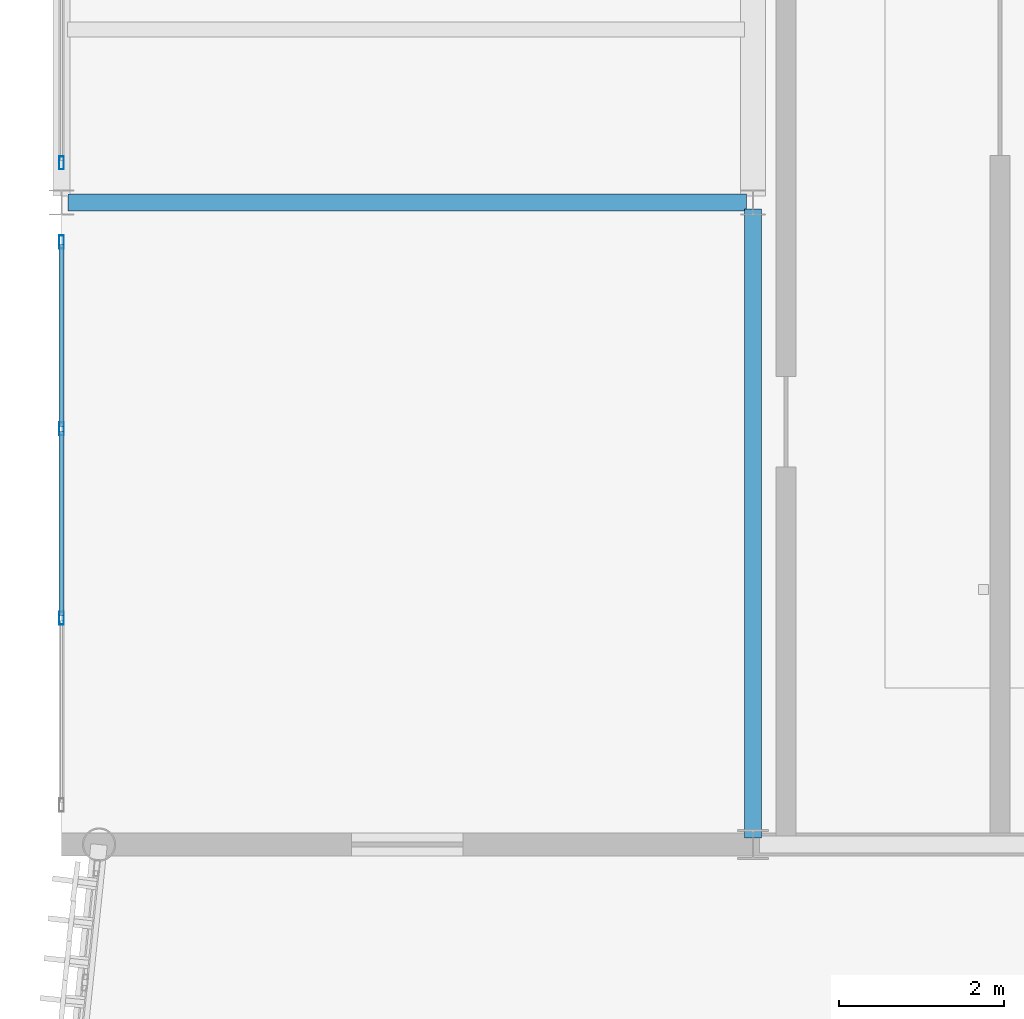
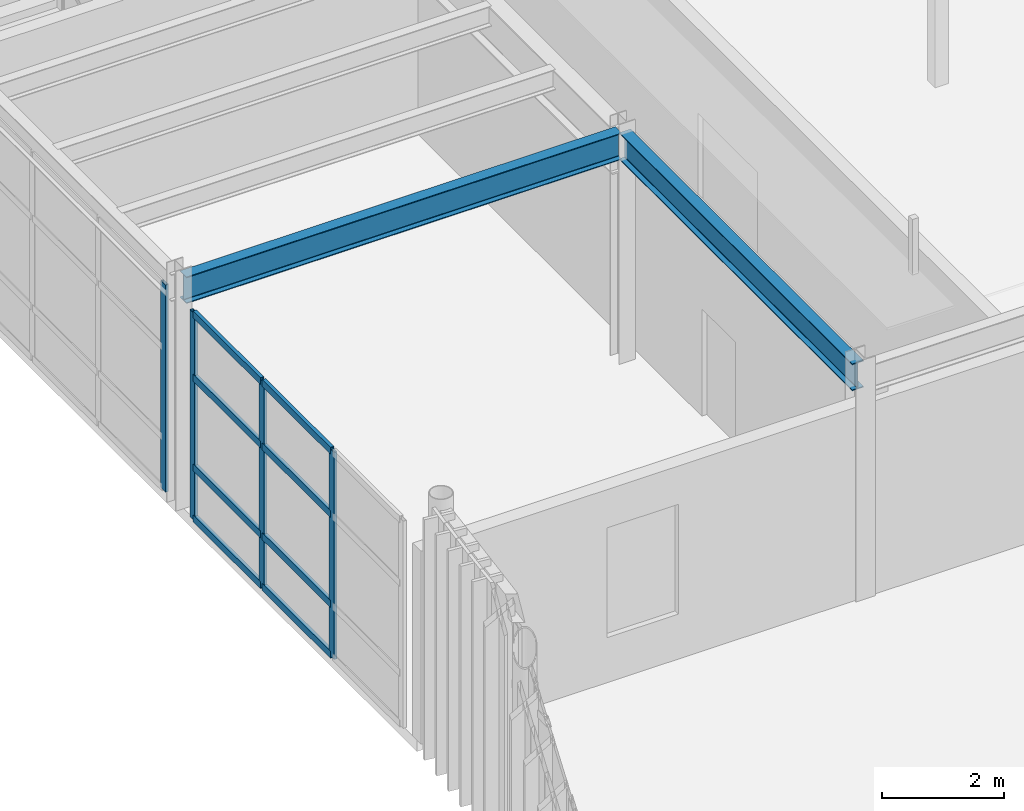
# One storey, part 37 of 116: 12 members, 2 beams, 2 elements without a shape of their own.
"""IFC4 building model written with IfcOpenShell, lengths in metres."""

from ifc_helpers import new_model, si_unit, direction, frame, origin, origin_2d, place, context, subcontext, project, spatial, hollow_rectangle, i_section, extrude, material, layer, layer_set, material_profile, profile_set, type_object, element, aggregate, save


model = new_model("IFC4")

# Units and contexts
model_context = context("Model", 3, precision=1e-05, world=origin(), true_north=direction((0.0, 1.0)))
body_context = subcontext(model_context, "Body", "Model", "MODEL_VIEW")
ifc_project = project(units=[si_unit("LENGTHUNIT", "METRE"), si_unit("AREAUNIT", "SQUARE_METRE"), si_unit("VOLUMEUNIT", "CUBIC_METRE"), si_unit("PLANEANGLEUNIT", "RADIAN"), si_unit("MASSUNIT", "GRAM", prefix="KILO")], contexts=[model_context])

# Site, building, storey
site_placement = place(None, origin())
site = spatial("IfcSite", under=ifc_project, at=site_placement, CompositionType="ELEMENT")
building_placement = place(site_placement, origin())
building = spatial("IfcBuilding", under=site, at=building_placement, Name="Selat Folded Stagehouse", CompositionType="ELEMENT")
storey_placement = place(building_placement, frame((0.0, 0.0, 5.39990234375)))
storey = spatial("IfcBuildingStorey", under=building, at=storey_placement, Name="L01", CompositionType="ELEMENT", Elevation=5.39990234375)

# Beams
ifc_material_1 = material(Name="Steel S355", Category="steel")
ifc_material_profile_1 = material_profile(ifc_material_1, i_section(OverallWidth=0.210693359375, OverallDepth=0.53955078125, WebThickness=0.01171875, FlangeThickness=0.018798828125, FilletRadius=0.0126953125, at=origin_2d()), Name="UKB 533x210x109")
ifc_profile_set_1 = profile_set([ifc_material_profile_1], Name="Steel S355")
beam_type_1 = type_object("IfcBeamType", Name="BM-GIRD-533x210x109", PredefinedType="BEAM", material=ifc_profile_set_1)
beam_1_placement = place(storey_placement, frame((8.39990234375, 54.679931640625, 4.310302734375), z_axis=(0.0, 1.0, 0.0), x_axis=(-1.0, 0.0, 0.0)))
element("IfcBeam", 1, at=beam_1_placement, inside=storey, type_object=beam_type_1, Name="L01 primary y-girder 0807", PredefinedType="BEAM", context=body_context, shape_type="SweptSolid", body=[
    extrude(i_section(OverallWidth=0.210693359375, OverallDepth=0.53955078125, WebThickness=0.01171875, FlangeThickness=0.018798828125, FilletRadius=0.0126953125, at=origin_2d()), origin(), (0.0, 0.0, 1.0), 7.64306640625),
])
ifc_material_profile_2 = material_profile(ifc_material_1, i_section(OverallWidth=0.209228515625, OverallDepth=0.533203125, WebThickness=0.010009765625, FlangeThickness=0.015625, FilletRadius=0.0126953125, at=origin_2d()), Name="UKB 533x210x92")
ifc_profile_set_2 = profile_set([ifc_material_profile_2], Name="Steel S355")
beam_type_2 = type_object("IfcBeamType", Name="BM-GIRD-533x210x92", PredefinedType="BEAM", material=ifc_profile_set_2)
beam_2_placement = place(storey_placement, frame((0.076904296875, 62.39990234375, 4.3134765625), z_axis=(1.0, 0.0, 0.0), x_axis=(0.0, 1.0, 0.0)))
element("IfcBeam", 2, at=beam_2_placement, inside=storey, type_object=beam_type_2, Name="L01 primary x-girder 0799", PredefinedType="BEAM", context=body_context, shape_type="SweptSolid", body=[
    extrude(i_section(OverallWidth=0.209228515625, OverallDepth=0.533203125, WebThickness=0.010009765625, FlangeThickness=0.015625, FilletRadius=0.0126953125, at=origin_2d()), origin(), (0.0, 0.0, 1.0), 8.24609375),
])

# Curtain wall, members
ifc_material_2 = material(Name="Aluminium 6063-T6", Category="aluminium")
ifc_layer = layer(ifc_material_2, 0.179931640625)
ifc_layer_set = layer_set([ifc_layer], Name="Aluminium 6063-T6")
curtain_wall_type = type_object("IfcCurtainWallType", Name="CW-BBX-FOYER", PredefinedType="NOTDEFINED", material=ifc_layer_set)
curtain_wall_1_placement = place(storey_placement, origin())
curtain_wall_1 = element("IfcCurtainWall", 3, at=curtain_wall_1_placement, inside=storey, type_object=curtain_wall_type, Name="L01 curtain wall CW-BRG-21", PredefinedType="NOTDEFINED")
ifc_material_profile_3 = material_profile(ifc_material_2, hollow_rectangle(XDim=0.06005859375, YDim=0.159912109375, WallThickness=0.00390625, at=origin_2d()), Name="ALU 160x60x4.0")
ifc_profile_set_3 = profile_set([ifc_material_profile_3], Name="Aluminium 6063-T6")
member_type_1 = type_object("IfcMemberType", Name="CWM-MUL-160x60", PredefinedType="MULLION", material=ifc_profile_set_3)
member_1_placement = place(storey_placement, frame((0.0, 57.35009765625, 0.0), z_axis=(0.0, 0.0, 1.0), x_axis=(-1.0, 0.0, 0.0)))
member_1 = element("IfcMember", 4, at=member_1_placement, type_object=member_type_1, Name="CW-08 mullion 2", PredefinedType="MULLION", context=body_context, shape_type="SweptSolid", body=[
    extrude(hollow_rectangle(XDim=0.06005859375, YDim=0.159912109375, WallThickness=0.00390625, at=origin_2d()), origin(), (0.0, 0.0, 1.0), 4.150146484375),
])
member_2_placement = place(storey_placement, frame((0.0, 59.64990234375, 0.0), z_axis=(0.0, 0.0, 1.0), x_axis=(-1.0, 0.0, 0.0)))
member_2 = element("IfcMember", 5, at=member_2_placement, type_object=member_type_1, Name="CW-08 mullion 3", PredefinedType="MULLION", context=body_context, shape_type="SweptSolid", body=[
    extrude(hollow_rectangle(XDim=0.06005859375, YDim=0.159912109375, WallThickness=0.00390625, at=origin_2d()), origin(), (0.0, 0.0, 1.0), 4.150146484375),
])
member_3_placement = place(storey_placement, frame((0.0, 61.919921875, 0.0), z_axis=(0.0, 0.0, 1.0), x_axis=(-1.0, 0.0, 0.0)))
member_3 = element("IfcMember", 6, at=member_3_placement, type_object=member_type_1, Name="CW-08 mullion 4", PredefinedType="MULLION", context=body_context, shape_type="SweptSolid", body=[
    extrude(hollow_rectangle(XDim=0.06005859375, YDim=0.159912109375, WallThickness=0.00390625, at=origin_2d()), origin(), (0.0, 0.0, 1.0), 4.150146484375),
])

# Curtain wall, member
curtain_wall_2_placement = place(storey_placement, origin())
curtain_wall_2 = element("IfcCurtainWall", 7, at=curtain_wall_2_placement, inside=storey, type_object=curtain_wall_type, Name="L01 curtain wall CW-BRG-22", PredefinedType="NOTDEFINED")
member_4_placement = place(storey_placement, frame((0.0, 62.8798828125, 0.0), z_axis=(0.0, 0.0, 1.0), x_axis=(-1.0, 0.0, 0.0)))
member_4 = element("IfcMember", 8, at=member_4_placement, type_object=member_type_1, Name="CW-08 mullion 1", PredefinedType="MULLION", context=body_context, shape_type="SweptSolid", body=[
    extrude(hollow_rectangle(XDim=0.06005859375, YDim=0.159912109375, WallThickness=0.00390625, at=origin_2d()), origin(), (0.0, 0.0, 1.0), 4.150146484375),
])
aggregate(curtain_wall_2, [member_4])

# Member
ifc_material_profile_4 = material_profile(ifc_material_2, hollow_rectangle(XDim=0.06494140625, YDim=0.139892578125, WallThickness=0.00390625, at=origin_2d()), Name="ALU 140x65x4.0")
ifc_profile_set_4 = profile_set([ifc_material_profile_4], Name="Aluminium 6063-T6")
member_type_2 = type_object("IfcMemberType", Name="CWM-TRN-140x65", PredefinedType="USERDEFINED", material=ifc_profile_set_4)
member_5_placement = place(storey_placement, frame((0.0, 57.3798828125, 0.03271484375), z_axis=(0.0, 1.0, 0.0), x_axis=(-1.0, 0.0, 0.0)))
member_5 = element("IfcMember", 9, at=member_5_placement, type_object=member_type_2, Name="CW-08 transom 2.1", ObjectType="TRANSOM", PredefinedType="USERDEFINED", context=body_context, shape_type="SweptSolid", body=[
    extrude(hollow_rectangle(XDim=0.06494140625, YDim=0.139892578125, WallThickness=0.00390625, at=origin_2d()), origin(), (0.0, 0.0, 1.0), 2.240234375),
])

member_6_placement = place(storey_placement, frame((0.0, 57.3798828125, 1.050048828125), z_axis=(0.0, 1.0, 0.0), x_axis=(-1.0, 0.0, 0.0)))
member_6 = element("IfcMember", 10, at=member_6_placement, type_object=member_type_2, Name="CW-08 transom 2.2", ObjectType="TRANSOM", PredefinedType="USERDEFINED", context=body_context, shape_type="SweptSolid", body=[
    extrude(hollow_rectangle(XDim=0.06494140625, YDim=0.139892578125, WallThickness=0.00390625, at=origin_2d()), origin(), (0.0, 0.0, 1.0), 2.240234375),
])

member_7_placement = place(storey_placement, frame((0.0, 57.3798828125, 2.85009765625), z_axis=(0.0, 1.0, 0.0), x_axis=(-1.0, 0.0, 0.0)))
member_7 = element("IfcMember", 11, at=member_7_placement, type_object=member_type_2, Name="CW-08 transom 2.3", ObjectType="TRANSOM", PredefinedType="USERDEFINED", context=body_context, shape_type="SweptSolid", body=[
    extrude(hollow_rectangle(XDim=0.06494140625, YDim=0.139892578125, WallThickness=0.00390625, at=origin_2d()), origin(), (0.0, 0.0, 1.0), 2.240234375),
])

member_8_placement = place(storey_placement, frame((0.0, 57.3798828125, 4.11767578125), z_axis=(0.0, 1.0, 0.0), x_axis=(-1.0, 0.0, 0.0)))
member_8 = element("IfcMember", 12, at=member_8_placement, type_object=member_type_2, Name="CW-08 transom 2.4", ObjectType="TRANSOM", PredefinedType="USERDEFINED", context=body_context, shape_type="SweptSolid", body=[
    extrude(hollow_rectangle(XDim=0.06494140625, YDim=0.139892578125, WallThickness=0.00390625, at=origin_2d()), origin(), (0.0, 0.0, 1.0), 2.240234375),
])

member_9_placement = place(storey_placement, frame((0.0, 59.679931640625, 0.03271484375), z_axis=(0.0, 1.0, 0.0), x_axis=(-1.0, 0.0, 0.0)))
member_9 = element("IfcMember", 13, at=member_9_placement, type_object=member_type_2, Name="CW-08 transom 3.1", ObjectType="TRANSOM", PredefinedType="USERDEFINED", context=body_context, shape_type="SweptSolid", body=[
    extrude(hollow_rectangle(XDim=0.06494140625, YDim=0.139892578125, WallThickness=0.00390625, at=origin_2d()), origin(), (0.0, 0.0, 1.0), 2.2099609375),
])

member_10_placement = place(storey_placement, frame((0.0, 59.679931640625, 1.050048828125), z_axis=(0.0, 1.0, 0.0), x_axis=(-1.0, 0.0, 0.0)))
member_10 = element("IfcMember", 14, at=member_10_placement, type_object=member_type_2, Name="CW-08 transom 3.2", ObjectType="TRANSOM", PredefinedType="USERDEFINED", context=body_context, shape_type="SweptSolid", body=[
    extrude(hollow_rectangle(XDim=0.06494140625, YDim=0.139892578125, WallThickness=0.00390625, at=origin_2d()), origin(), (0.0, 0.0, 1.0), 2.2099609375),
])

member_11_placement = place(storey_placement, frame((0.0, 59.679931640625, 2.85009765625), z_axis=(0.0, 1.0, 0.0), x_axis=(-1.0, 0.0, 0.0)))
member_11 = element("IfcMember", 15, at=member_11_placement, type_object=member_type_2, Name="CW-08 transom 3.3", ObjectType="TRANSOM", PredefinedType="USERDEFINED", context=body_context, shape_type="SweptSolid", body=[
    extrude(hollow_rectangle(XDim=0.06494140625, YDim=0.139892578125, WallThickness=0.00390625, at=origin_2d()), origin(), (0.0, 0.0, 1.0), 2.2099609375),
])

member_12_placement = place(storey_placement, frame((0.0, 59.679931640625, 4.11767578125), z_axis=(0.0, 1.0, 0.0), x_axis=(-1.0, 0.0, 0.0)))
member_12 = element("IfcMember", 16, at=member_12_placement, type_object=member_type_2, Name="CW-08 transom 3.4", ObjectType="TRANSOM", PredefinedType="USERDEFINED", context=body_context, shape_type="SweptSolid", body=[
    extrude(hollow_rectangle(XDim=0.06494140625, YDim=0.139892578125, WallThickness=0.00390625, at=origin_2d()), origin(), (0.0, 0.0, 1.0), 2.2099609375),
])

aggregate(curtain_wall_1, [member_1, member_2, member_3, member_5, member_6, member_7, member_8, member_9, member_10, member_11, member_12])

save(model, "model.ifc")
